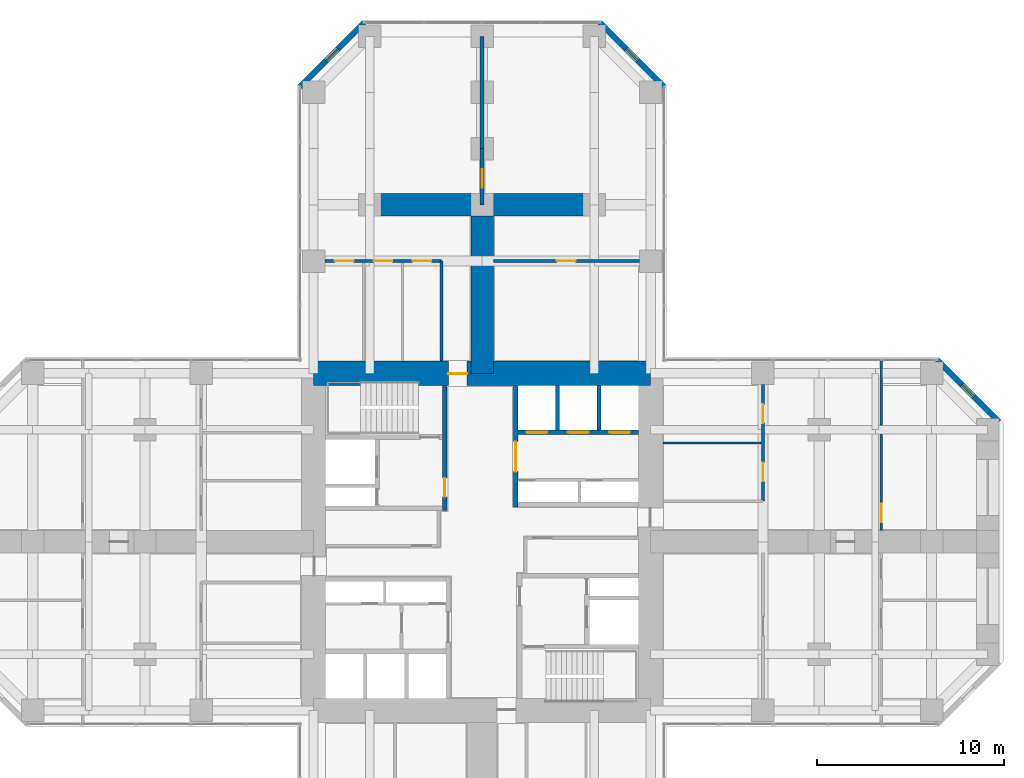
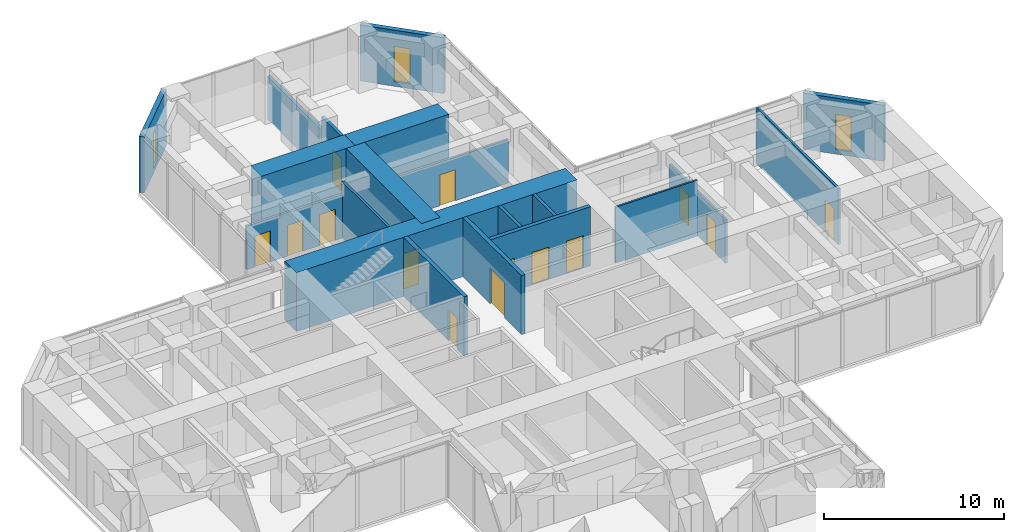
# One storey, part 11 of 13: 20 walls, 14 doors, 3 windows, 17 openings.
"""IFC4 building model written with IfcOpenShell, lengths in metres."""

import ifcopenshell
import ifcopenshell.guid

model = None  # the IFC model being written
_history = None  # IfcOwnerHistory: only IFC2X3 demands one
_inside = {}  # id of a spatial element -> (the spatial element, [elements in it])
_under = {}  # id of a project, library or spatial element -> (it, [spatial elements below it])
_declared = {}  # id of a project -> (the project, [libraries it declares])
_typed = {}  # id of a type object -> (the type object, [elements of that type])
_made_of = {}  # id of a material, layer set ... -> (it, [elements and type objects made of it])


def new_model(schema):
    """Start an empty IFC model of exactly this schema.

    Asked for "IFC4X3", IfcOpenShell would pick the latest addendum, in which some entities
    have other attributes; the version numbers below select the first issue.
    IFC2X3 requires an IfcOwnerHistory on every rooted entity: one is made here for all.
    """
    global model, _history
    if schema == "IFC4X3":
        model = ifcopenshell.file(schema_version=(4, 3, 0, 0))
    else:
        model = ifcopenshell.file(schema=schema)
    _inside.clear()
    _under.clear()
    _declared.clear()
    _typed.clear()
    _made_of.clear()
    _history = None
    if model.schema == "IFC2X3":
        org = make("IfcOrganization", Name="unknown")
        user = make(
            "IfcPersonAndOrganization",
            ThePerson=make("IfcPerson", FamilyName="unknown"),
            TheOrganization=org,
        )
        app = make(
            "IfcApplication",
            ApplicationDeveloper=org,
            Version="unknown",
            ApplicationFullName="unknown",
            ApplicationIdentifier="unknown",
        )
        _history = make(
            "IfcOwnerHistory",
            OwningUser=user,
            OwningApplication=app,
            ChangeAction="ADDED",
            CreationDate=0,
        )
    return model


def make(cls, **values):
    """One entity of the class cls with the attributes given. An attribute that is None is left unset."""
    return model.create_entity(
        cls, **{name: value for name, value in values.items() if value is not None}
    )


def rooted(cls, **values):
    """An entity with a GlobalId (a new one), such as an element, a storey or a relation."""
    return make(cls, GlobalId=ifcopenshell.guid.new(), OwnerHistory=_history, **values)


def si_unit(unit_type, name, prefix=None):
    """IfcSIUnit, for example si_unit("LENGTHUNIT", "METRE", prefix="MILLI")."""
    return make("IfcSIUnit", UnitType=unit_type, Prefix=prefix, Name=name)


def assignment(units):
    """IfcUnitAssignment: the units of a project."""
    return None if units is None else make("IfcUnitAssignment", Units=units)


def point(xyz):
    """IfcCartesianPoint."""
    return None if xyz is None else make("IfcCartesianPoint", Coordinates=xyz)


def direction(xyz):
    """IfcDirection."""
    return None if xyz is None else make("IfcDirection", DirectionRatios=xyz)


def frame(location, z_axis=None, x_axis=None):
    """IfcAxis2Placement3D, a coordinate frame: its origin and axes. An axis left out is left unset."""
    return make(
        "IfcAxis2Placement3D",
        Location=point(location),
        Axis=direction(z_axis),
        RefDirection=direction(x_axis),
    )


def frame_2d(location, x_axis=None):
    """IfcAxis2Placement2D, a coordinate frame in the plane: its origin and x axis."""
    return make(
        "IfcAxis2Placement2D", Location=point(location), RefDirection=direction(x_axis)
    )


def origin():
    """The frame at (0, 0, 0) with its axes left unset."""
    return frame((0.0, 0.0, 0.0))


def place(relative_to, where):
    """IfcLocalPlacement: puts the frame where relative to a parent placement (None: the world)."""
    return make(
        "IfcLocalPlacement", PlacementRelTo=relative_to, RelativePlacement=where
    )


def context(
    kind, dimensions, precision=None, world=None, true_north=None, identifier=None
):
    """IfcGeometricRepresentationContext, for example the 3D "Model" context."""
    return make(
        "IfcGeometricRepresentationContext",
        ContextIdentifier=identifier,
        ContextType=kind,
        CoordinateSpaceDimension=dimensions,
        Precision=precision,
        WorldCoordinateSystem=world,
        TrueNorth=true_north,
    )


def subcontext(parent, identifier, kind, view, scale=None):
    """IfcGeometricRepresentationSubContext, for example "Body" below "Model"."""
    return make(
        "IfcGeometricRepresentationSubContext",
        ContextIdentifier=identifier,
        ContextType=kind,
        ParentContext=parent,
        TargetScale=scale,
        TargetView=view,
    )


def project(units=None, contexts=None):
    """IfcProject with its units and contexts."""
    return rooted(
        "IfcProject",
        Name="project",
        RepresentationContexts=contexts,
        UnitsInContext=assignment(units),
    )


def spatial(cls, under=None, at=None, **own):
    """A site, building, storey or space (cls), placed at a placement, below another one or the project."""
    s = rooted(cls, ObjectPlacement=at, **own)
    if under is not None:
        _under.setdefault(under.id(), (under, []))[1].append(s)
    return s


def profile(cls, at=None, kind="AREA", **sizes):
    """A parametric profile (cls). Its sizes go by their IFC names, for example OverallWidth=200.0."""
    return make(cls, ProfileType=kind, Position=at, **sizes)


def rectangle(**sizes):
    """IfcRectangleProfileDef."""
    return profile("IfcRectangleProfileDef", **sizes)


def hollow_rectangle(**sizes):
    """IfcRectangleHollowProfileDef."""
    return profile("IfcRectangleHollowProfileDef", **sizes)


def extrude(swept, where, along, depth):
    """IfcExtrudedAreaSolid: the profile swept, set in the frame where, extruded along a direction by depth."""
    return make(
        "IfcExtrudedAreaSolid",
        SweptArea=swept,
        Position=where,
        ExtrudedDirection=direction(along),
        Depth=depth,
    )


def shape(context_of_items, identifier, shape_type, items):
    """IfcShapeRepresentation: the items that make up one representation, for example the "Body"."""
    return make(
        "IfcShapeRepresentation",
        ContextOfItems=context_of_items,
        RepresentationIdentifier=identifier,
        RepresentationType=shape_type,
        Items=items,
    )


def material(Name=None, Category=None):
    """IfcMaterial."""
    return make("IfcMaterial", Name=Name, Category=Category)


def layer(
    of_material, thickness, ventilated=None, Name=None, Category=None, Priority=None
):
    """IfcMaterialLayer: one layer of a wall or slab, of a material (None: an air gap)."""
    return make(
        "IfcMaterialLayer",
        Material=of_material,
        LayerThickness=thickness,
        IsVentilated=ventilated,
        Name=Name,
        Category=Category,
        Priority=Priority,
    )


def layer_set(layers, Name=None):
    """IfcMaterialLayerSet."""
    return make("IfcMaterialLayerSet", MaterialLayers=layers, LayerSetName=Name)


def constituent(of_material, Name=None, Category=None, fraction=None):
    """IfcMaterialConstituent: one of the materials an element consists of."""
    return make(
        "IfcMaterialConstituent",
        Name=Name,
        Material=of_material,
        Fraction=fraction,
        Category=Category,
    )


def constituent_set(constituents=None, Name=None):
    """IfcMaterialConstituentSet."""
    return make(
        "IfcMaterialConstituentSet", Name=Name, MaterialConstituents=constituents
    )


def made_of(thing, what):
    """Note that an element or type object is made of a material, layer set ...; save() writes the relation."""
    if what is not None:
        _made_of.setdefault(what.id(), (what, []))[1].append(thing)
    return thing


def type_object(cls, material=None, **own):
    """A type object (cls), such as IfcWallType, which elements share."""
    return made_of(rooted(cls, **own), material)


def element(
    cls,
    number,
    at=None,
    inside=None,
    cuts=None,
    type_object=None,
    material=None,
    context=None,
    identifier="Body",
    shape_type=None,
    held_by="IfcProductDefinitionShape",
    body=None,
    shapes=None,
    **own,
):
    """One element of the class cls, such as IfcWall. Its Tag is "e" and its number.

    at: its placement. inside: the storey or other place that contains it. cuts: it is an
    opening in that element (IfcRelVoidsElement). A single representation is given by context,
    identifier, shape_type and body (its items); several are given by shapes. held_by: the class
    of the entity that holds the representations. save() writes the other relations.
    """
    e = rooted(cls, Tag="e%d" % number, ObjectPlacement=at, **own)
    if body is not None:
        shapes = [shape(context, identifier, shape_type, body)]
    if shapes is not None:
        e.Representation = make(held_by, Representations=shapes)
    if inside is not None:
        _inside.setdefault(inside.id(), (inside, []))[1].append(e)
    if cuts is not None:
        rooted(
            "IfcRelVoidsElement", RelatingBuildingElement=cuts, RelatedOpeningElement=e
        )
    if type_object is not None:
        _typed.setdefault(type_object.id(), (type_object, []))[1].append(e)
    return made_of(e, material)


def fill(opening, filler):
    """IfcRelFillsElement: the door or window that sits in an opening."""
    return rooted(
        "IfcRelFillsElement",
        RelatingOpeningElement=opening,
        RelatedBuildingElement=filler,
    )


def aggregate(whole, parts):
    """IfcRelAggregates: a whole, such as a stair, and the parts it consists of."""
    return rooted("IfcRelAggregates", RelatingObject=whole, RelatedObjects=parts)


def save(model, path):
    """Write the relations noted so far, then the file.

    IfcRelAggregates (storeys below a building ...), IfcRelContainedInSpatialStructure (elements
    in a storey), IfcRelDefinesByType, IfcRelAssociatesMaterial and IfcRelDeclares: one each for
    every whole, place, type object, material and project.
    """
    for whole, parts in _under.values():
        aggregate(whole, parts)
    for where, things in _inside.values():
        rooted(
            "IfcRelContainedInSpatialStructure",
            RelatedElements=things,
            RelatingStructure=where,
        )
    for kind, things in _typed.values():
        rooted("IfcRelDefinesByType", RelatedObjects=things, RelatingType=kind)
    for what, things in _made_of.values():
        rooted("IfcRelAssociatesMaterial", RelatedObjects=things, RelatingMaterial=what)
    for by, libraries in _declared.values():
        rooted("IfcRelDeclares", RelatingContext=by, RelatedDefinitions=libraries)
    model.write(path)


model = new_model("IFC4")

# Units and contexts
model_context = context("Model", 3, precision=1e-05, world=origin(), true_north=direction((0.0, 1.0)))
body_context = subcontext(model_context, "Body", "Model", "MODEL_VIEW")
ifc_project = project(units=[si_unit("LENGTHUNIT", "METRE"), si_unit("AREAUNIT", "SQUARE_METRE"), si_unit("VOLUMEUNIT", "CUBIC_METRE"), si_unit("PLANEANGLEUNIT", "RADIAN"), si_unit("MASSUNIT", "GRAM", prefix="KILO")], contexts=[model_context])

# Site, building, storey
site_placement = place(None, origin())
site = spatial("IfcSite", under=ifc_project, at=site_placement, CompositionType="ELEMENT")
building_placement = place(site_placement, origin())
building = spatial("IfcBuilding", under=site, at=building_placement, Name="Torre Cruceta", CompositionType="ELEMENT")
storey_placement = place(building_placement, frame((0.0, 0.0, 55.5)))
storey = spatial("IfcBuildingStorey", under=building, at=storey_placement, Name="L13", CompositionType="ELEMENT", Elevation=55.5)

# Wall, opening, door
ifc_material_1 = material(Name="Concrete G60 (fck 60 MPa)", Category="concrete")
ifc_layer_1 = layer(ifc_material_1, 0.25)
ifc_layer_set_1 = layer_set([ifc_layer_1], Name="Concrete G60 (fck 60 MPa)")
wall_type_1 = type_object("IfcWallType", Name="CORE INNER WALL 250 G60", PredefinedType="SHEAR", material=ifc_layer_set_1)
wall_1_placement = place(storey_placement, frame((1.800048828125, 1.875, 0.0), z_axis=(0.0, 0.0, 1.0), x_axis=(0.0, 1.0, 0.0)))
wall_1 = element("IfcWall", 1, at=wall_1_placement, inside=storey, type_object=wall_type_1, Name="CW4 L13 NE-CU", PredefinedType="SHEAR", context=body_context, shape_type="SweptSolid", body=[
    extrude(rectangle(XDim=6.47509765625, YDim=0.25, at=frame_2d((3.237548828125, 0.0))), origin(), (0.0, 0.0, 1.0), 4.0),
])
opening_1_placement = place(wall_1_placement, frame((1.875, 0.0, 0.0)))
opening_1 = element("IfcOpeningElement", 2, at=opening_1_placement, cuts=wall_1, Name="Opening D8", PredefinedType="OPENING", context=body_context, shape_type="SweptSolid", body=[
    extrude(rectangle(XDim=1.60009765625, YDim=2.39990234375, at=frame_2d((0.800048828125, 1.199951171875))), frame((0.0, 0.135009765625, 0.0), z_axis=(0.0, -1.0, 0.0), x_axis=(1.0, 0.0, 0.0)), (0.0, 0.0, 1.0), 0.27001953125),
])
ifc_material_2 = material(Name="Steel DX51D", Category="steel")
ifc_constituent_1 = constituent(ifc_material_2, Name="Leaf and frame")
ifc_material_3 = material(Name="Polyester powder coating", Category="paint")
ifc_constituent_2 = constituent(ifc_material_3, Name="Finish")
ifc_material_4 = material(Name="Fire-resisting glass", Category="glass")
ifc_constituent_3 = constituent(ifc_material_4, Name="Vision panel")
ifc_constituent_set_1 = constituent_set(constituents=[ifc_constituent_1, ifc_constituent_2, ifc_constituent_3], Name="Steel fire door with vision panels")
door_type_1 = type_object("IfcDoorType", Name="LIFT LOBBY DOUBLE DOOR 1600X2400", OperationType="DOUBLE_DOOR_DOUBLE_SWING", PredefinedType="DOOR", material=ifc_constituent_set_1)
door_1_placement = place(opening_1_placement, origin())
door_1 = element("IfcDoor", 3, at=door_1_placement, inside=storey, type_object=door_type_1, Name="D8 L13 NE-LOBBY", OperationType="DOUBLE_DOOR_DOUBLE_SWING", OverallHeight=2.39990234375, OverallWidth=1.60009765625, PredefinedType="DOOR", context=body_context, shape_type="SweptSolid", body=[
    extrude(rectangle(XDim=1.60009765625, YDim=2.39990234375, at=frame_2d((0.800048828125, 1.199951171875))), frame((0.0, 0.02490234375, 0.0), z_axis=(0.0, -1.0, 0.0), x_axis=(1.0, 0.0, 0.0)), (0.0, 0.0, 1.0), 0.050048828125),
])
fill(opening_1, door_1)

# Wall, openings, doors
wall_2_placement = place(storey_placement, frame((1.925048828125, 5.85009765625, 0.0), z_axis=(0.0, 0.0, 1.0), x_axis=(1.0, 0.0, 0.0)))
wall_2 = element("IfcWall", 4, at=wall_2_placement, inside=storey, type_object=wall_type_1, Name="CW4 L13 NE-LV", PredefinedType="SHEAR", context=body_context, shape_type="SweptSolid", body=[
    extrude(rectangle(XDim=6.425048828125, YDim=0.25, at=frame_2d((3.21240234375, 0.0))), origin(), (0.0, 0.0, 1.0), 4.0),
])
opening_2_placement = place(wall_2_placement, frame((0.4541015625, 0.0, 0.0)))
opening_2 = element("IfcOpeningElement", 5, at=opening_2_placement, cuts=wall_2, Name="Opening LD1", PredefinedType="OPENING", context=body_context, shape_type="SweptSolid", body=[
    extrude(rectangle(XDim=1.10009765625, YDim=2.199951171875, at=frame_2d((0.550048828125, 1.10009765625))), frame((0.0, 0.135009765625, 0.0), z_axis=(0.0, -1.0, 0.0), x_axis=(1.0, 0.0, 0.0)), (0.0, 0.0, 1.0), 0.27001953125),
])
opening_3_placement = place(wall_2_placement, frame((2.66259765625, 0.0, 0.0)))
opening_3 = element("IfcOpeningElement", 6, at=opening_3_placement, cuts=wall_2, Name="Opening LD1", PredefinedType="OPENING", context=body_context, shape_type="SweptSolid", body=[
    extrude(rectangle(XDim=1.10009765625, YDim=2.199951171875, at=frame_2d((0.550048828125, 1.10009765625))), frame((0.0, 0.135009765625, 0.0), z_axis=(0.0, -1.0, 0.0), x_axis=(1.0, 0.0, 0.0)), (0.0, 0.0, 1.0), 0.27001953125),
])
opening_4_placement = place(wall_2_placement, frame((4.870849609375, 0.0, 0.0)))
opening_4 = element("IfcOpeningElement", 7, at=opening_4_placement, cuts=wall_2, Name="Opening LD1", PredefinedType="OPENING", context=body_context, shape_type="SweptSolid", body=[
    extrude(rectangle(XDim=1.10009765625, YDim=2.199951171875, at=frame_2d((0.550048828125, 1.10009765625))), frame((0.0, 0.135009765625, 0.0), z_axis=(0.0, -1.0, 0.0), x_axis=(1.0, 0.0, 0.0)), (0.0, 0.0, 1.0), 0.27001953125),
])
ifc_material_5 = material(Name="Stainless steel 1.4401", Category="steel")
door_type_2 = type_object("IfcDoorType", Name="LIFT LANDING DOOR 1100X2200", OperationType="DOUBLE_DOOR_SLIDING", PredefinedType="DOOR", material=ifc_material_5)
door_2_placement = place(opening_2_placement, origin())
door_2 = element("IfcDoor", 8, at=door_2_placement, inside=storey, type_object=door_type_2, Name="Lift landing door P1", OperationType="DOUBLE_DOOR_SLIDING", OverallHeight=2.199951171875, OverallWidth=1.10009765625, PredefinedType="DOOR", context=body_context, shape_type="SweptSolid", body=[
    extrude(rectangle(XDim=1.10009765625, YDim=2.199951171875, at=frame_2d((0.550048828125, 1.10009765625))), frame((0.0, 0.02490234375, 0.0), z_axis=(0.0, -1.0, 0.0), x_axis=(1.0, 0.0, 0.0)), (0.0, 0.0, 1.0), 0.050048828125),
])
fill(opening_2, door_2)
door_3_placement = place(opening_3_placement, origin())
door_3 = element("IfcDoor", 9, at=door_3_placement, inside=storey, type_object=door_type_2, Name="Lift landing door P2", OperationType="DOUBLE_DOOR_SLIDING", OverallHeight=2.199951171875, OverallWidth=1.10009765625, PredefinedType="DOOR", context=body_context, shape_type="SweptSolid", body=[
    extrude(rectangle(XDim=1.10009765625, YDim=2.199951171875, at=frame_2d((0.550048828125, 1.10009765625))), frame((0.0, 0.02490234375, 0.0), z_axis=(0.0, -1.0, 0.0), x_axis=(1.0, 0.0, 0.0)), (0.0, 0.0, 1.0), 0.050048828125),
])
fill(opening_3, door_3)
door_4_placement = place(opening_4_placement, origin())
door_4 = element("IfcDoor", 10, at=door_4_placement, inside=storey, type_object=door_type_2, Name="Lift landing door P3", OperationType="DOUBLE_DOOR_SLIDING", OverallHeight=2.199951171875, OverallWidth=1.10009765625, PredefinedType="DOOR", context=body_context, shape_type="SweptSolid", body=[
    extrude(rectangle(XDim=1.10009765625, YDim=2.199951171875, at=frame_2d((0.550048828125, 1.10009765625))), frame((0.0, 0.02490234375, 0.0), z_axis=(0.0, -1.0, 0.0), x_axis=(1.0, 0.0, 0.0)), (0.0, 0.0, 1.0), 0.050048828125),
])
fill(opening_4, door_4)

# Wall, opening, door
wall_3_placement = place(storey_placement, frame((-2.0, 1.675048828125, 0.0), z_axis=(0.0, 0.0, 1.0), x_axis=(0.0, 1.0, 0.0)))
wall_3 = element("IfcWall", 11, at=wall_3_placement, inside=storey, type_object=wall_type_1, Name="CW4 L13 NW-CU", PredefinedType="SHEAR", context=body_context, shape_type="SweptSolid", body=[
    extrude(rectangle(XDim=6.675048828125, YDim=0.25, at=frame_2d((3.33740234375, 0.0))), origin(), (0.0, 0.0, 1.0), 4.0),
])
opening_5_placement = place(wall_3_placement, frame((0.72509765625, 0.0, 0.0)))
opening_5 = element("IfcOpeningElement", 12, at=opening_5_placement, cuts=wall_3, Name="Opening D3", PredefinedType="OPENING", context=body_context, shape_type="SweptSolid", body=[
    extrude(rectangle(XDim=1.0, YDim=2.10009765625, at=frame_2d((0.5, 1.050048828125))), frame((0.0, 0.135009765625, 0.0), z_axis=(0.0, -1.0, 0.0), x_axis=(1.0, 0.0, 0.0)), (0.0, 0.0, 1.0), 0.27001953125),
])
ifc_material_6 = material(Name="Steel DX51D", Category="steel")
ifc_constituent_4 = constituent(ifc_material_6, Name="Leaf and frame")
ifc_material_7 = material(Name="Polyester powder coating", Category="paint")
ifc_constituent_5 = constituent(ifc_material_7, Name="Finish")
ifc_constituent_set_2 = constituent_set(constituents=[ifc_constituent_4, ifc_constituent_5], Name="Steel fire door")
door_type_3 = type_object("IfcDoorType", Name="FIRE DOOR 1000X2100", OperationType="SINGLE_SWING_LEFT", PredefinedType="DOOR", material=ifc_constituent_set_2)
door_5_placement = place(opening_5_placement, origin())
door_5 = element("IfcDoor", 13, at=door_5_placement, inside=storey, type_object=door_type_3, Name="D3 L13 NW-LOBBY", OperationType="SINGLE_SWING_LEFT", OverallHeight=2.10009765625, OverallWidth=1.0, PredefinedType="DOOR", context=body_context, shape_type="SweptSolid", body=[
    extrude(rectangle(XDim=1.0, YDim=2.10009765625, at=frame_2d((0.5, 1.050048828125))), frame((0.0, 0.02490234375, 0.0), z_axis=(0.0, -1.0, 0.0), x_axis=(1.0, 0.0, 0.0)), (0.0, 0.0, 1.0), 0.050048828125),
])
fill(opening_5, door_5)

ifc_material_8 = material(Name="Concrete G60 (fck 60 MPa)", Category="concrete")
ifc_layer_2 = layer(ifc_material_8, 1.300048828125)
ifc_layer_set_2 = layer_set([ifc_layer_2], Name="Concrete G60 (fck 60 MPa)")
wall_type_2 = type_object("IfcWallType", Name="CORE WALL 1300 G60", PredefinedType="SHEAR", material=ifc_layer_set_2)
wall_4_placement = place(storey_placement, frame((9.0, 9.0, 0.0), z_axis=(0.0, 0.0, 1.0), x_axis=(-1.0, 0.0, 0.0)))
wall_4 = element("IfcWall", 14, at=wall_4_placement, inside=storey, type_object=wall_type_2, Name="CW1 L13 CW-N", PredefinedType="SHEAR", context=body_context, shape_type="SweptSolid", body=[
    extrude(rectangle(XDim=18.0, YDim=1.300048828125, at=frame_2d((9.0, 0.0))), origin(), (0.0, 0.0, 1.0), 4.0),
])
opening_6_placement = place(wall_4_placement, frame((9.800048828125, 0.0, 0.0)))
opening_6 = element("IfcOpeningElement", 15, at=opening_6_placement, cuts=wall_4, Name="Opening D4", PredefinedType="OPENING", context=body_context, shape_type="SweptSolid", body=[
    extrude(rectangle(XDim=1.0, YDim=2.39990234375, at=frame_2d((0.5, 1.199951171875))), frame((0.0, 0.659912109375, 0.0), z_axis=(0.0, -1.0, 0.0), x_axis=(1.0, 0.0, 0.0)), (0.0, 0.0, 1.0), 1.320068359375),
])
ifc_material_9 = material(Name="Steel DX51D", Category="steel")
ifc_constituent_6 = constituent(ifc_material_9, Name="Leaf and frame")
ifc_material_10 = material(Name="Polyester powder coating", Category="paint")
ifc_constituent_7 = constituent(ifc_material_10, Name="Finish")
ifc_constituent_set_3 = constituent_set(constituents=[ifc_constituent_6, ifc_constituent_7], Name="Steel fire door")
door_type_4 = type_object("IfcDoorType", Name="CORE ARM DOOR 1000X2400", OperationType="SINGLE_SWING_RIGHT", PredefinedType="DOOR", material=ifc_constituent_set_3)
door_6_placement = place(opening_6_placement, frame((1.0, 0.0, 0.0), z_axis=(0.0, 0.0, 1.0), x_axis=(-1.0, 0.0, 0.0)))
door_6 = element("IfcDoor", 16, at=door_6_placement, inside=storey, type_object=door_type_4, Name="D4 L13 CW-N", OperationType="SINGLE_SWING_RIGHT", OverallHeight=2.39990234375, OverallWidth=1.0, PredefinedType="DOOR", context=body_context, shape_type="SweptSolid", body=[
    extrude(rectangle(XDim=1.0, YDim=2.39990234375, at=frame_2d((0.5, 1.199951171875))), frame((0.0, -0.005126953125, 0.0), z_axis=(0.0, -1.0, 0.0), x_axis=(1.0, 0.0, 0.0)), (0.0, 0.0, 1.0), 0.050048828125),
])
fill(opening_6, door_6)

ifc_material_11 = material(Name="Concrete G25 (fck 25 MPa)", Category="concrete")
ifc_layer_3 = layer(ifc_material_11, 0.199951171875)
ifc_layer_set_3 = layer_set([ifc_layer_3], Name="Concrete G25 (fck 25 MPa)")
wall_type_3 = type_object("IfcWallType", Name="CORRIDOR WALL 200", PredefinedType="SOLIDWALL", material=ifc_layer_set_3)
wall_5_placement = place(storey_placement, frame((0.0, 18.0, 0.0), z_axis=(0.0, 0.0, 1.0), x_axis=(0.0, 1.0, 0.0)))
wall_5 = element("IfcWall", 17, at=wall_5_placement, inside=storey, type_object=wall_type_3, Name="PT3 spine line L13 N", PredefinedType="SOLIDWALL", context=body_context, shape_type="SweptSolid", body=[
    extrude(rectangle(XDim=3.0, YDim=0.199951171875, at=frame_2d((1.5, 0.0))), origin(), (0.0, 0.0, 1.0), 3.800048828125),
])
opening_7_placement = place(wall_5_placement, frame((0.89990234375, 0.0, 0.0)))
opening_7 = element("IfcOpeningElement", 18, at=opening_7_placement, cuts=wall_5, Name="Opening D14", PredefinedType="OPENING", context=body_context, shape_type="SweptSolid", body=[
    extrude(rectangle(XDim=1.0, YDim=2.199951171875, at=frame_2d((0.5, 1.10009765625))), frame((0.0, 0.10986328125, 0.0), z_axis=(0.0, -1.0, 0.0), x_axis=(1.0, 0.0, 0.0)), (0.0, 0.0, 1.0), 0.219970703125),
])
ifc_material_12 = material(Name="Steel DX51D", Category="steel")
ifc_constituent_8 = constituent(ifc_material_12, Name="Leaf and frame")
ifc_material_13 = material(Name="Polyester powder coating", Category="paint")
ifc_constituent_9 = constituent(ifc_material_13, Name="Finish")
ifc_material_14 = material(Name="Fire-resisting glass", Category="glass")
ifc_constituent_10 = constituent(ifc_material_14, Name="Vision panel")
ifc_constituent_set_4 = constituent_set(constituents=[ifc_constituent_8, ifc_constituent_9, ifc_constituent_10], Name="Steel fire door with vision panel")
door_type_5 = type_object("IfcDoorType", Name="FIRE DOOR VISION PANEL 1000X2200", OperationType="SINGLE_SWING_RIGHT", PredefinedType="DOOR", material=ifc_constituent_set_4)
door_7_placement = place(opening_7_placement, frame((1.0, 0.0, 0.0), z_axis=(0.0, 0.0, 1.0), x_axis=(-1.0, 0.0, 0.0)))
door_7 = element("IfcDoor", 19, at=door_7_placement, inside=storey, type_object=door_type_5, Name="D14 L13-N-SP1", OperationType="SINGLE_SWING_RIGHT", OverallHeight=2.199951171875, OverallWidth=1.0, PredefinedType="DOOR", context=body_context, shape_type="SweptSolid", body=[
    extrude(rectangle(XDim=1.0, YDim=2.199951171875, at=frame_2d((0.5, 1.10009765625))), frame((0.0, 0.025146484375, 0.0), z_axis=(0.0, -1.0, 0.0), x_axis=(1.0, 0.0, 0.0)), (0.0, 0.0, 1.0), 0.050048828125),
])
fill(opening_7, door_7)

# Walls
wall_6_placement = place(storey_placement, frame((0.0, 21.0, 0.0), z_axis=(0.0, 0.0, 1.0), x_axis=(0.0, 1.0, 0.0)))
element("IfcWall", 20, at=wall_6_placement, inside=storey, type_object=wall_type_3, Name="PT3 spine line L13 N 2", PredefinedType="SOLIDWALL", context=body_context, shape_type="SweptSolid", body=[
    extrude(rectangle(XDim=6.0, YDim=0.199951171875, at=frame_2d((3.0, 0.0))), origin(), (0.0, 0.0, 1.0), 2.89990234375),
])
ifc_material_15 = material(Name="Concrete G60 (fck 60 MPa)", Category="concrete")
ifc_layer_4 = layer(ifc_material_15, 1.199951171875)
ifc_layer_set_4 = layer_set([ifc_layer_4], Name="Concrete G60 (fck 60 MPa)")
wall_type_4 = type_object("IfcWallType", Name="CROSS WALL 1200 G60", PredefinedType="SHEAR", material=ifc_layer_set_4)
for number, where, z_axis, x_axis, name in (
    (21, (0.0, 18.0, 0.0), (0.0, 0.0, 1.0), (-1.0, 0.0, 0.0), "XW1 cross wall L13 N L"),
    (22, (0.0, 18.0, 0.0), (0.0, 0.0, 1.0), (1.0, 0.0, 0.0), "XW1 cross wall L13 N R"),
):
    element("IfcWall", number, at=place(storey_placement, frame(where, z_axis=z_axis, x_axis=x_axis)), inside=storey, type_object=wall_type_4, Name=name, PredefinedType="SHEAR", context=body_context, shape_type="SweptSolid", body=[
        extrude(rectangle(XDim=6.0, YDim=1.199951171875, at=frame_2d((3.0, 0.0))), origin(), (0.0, 0.0, 1.0), 4.0),
    ])

# Wall, opening, window
ifc_material_16 = material(Name="Concrete G30 (fck 30 MPa)", Category="concrete")
ifc_layer_5 = layer(ifc_material_16, 0.300048828125)
ifc_layer_set_5 = layer_set([ifc_layer_5], Name="Concrete G30 (fck 30 MPa)")
wall_type_5 = type_object("IfcWallType", Name="EXPOSED CONCRETE FACADE WALL 300", PredefinedType="SOLIDWALL", material=ifc_layer_set_5)
wall_7_placement = place(storey_placement, frame((27.60009765625, 6.418212890625, 0.0), z_axis=(0.0, 0.0, 1.0), x_axis=(-0.707106781187, 0.707106781187, 0.0)))
wall_7 = element("IfcWall", 23, at=wall_7_placement, inside=storey, type_object=wall_type_5, Name="EW1 facade wall L13 E chamfer 03", PredefinedType="SOLIDWALL", context=body_context, shape_type="SweptSolid", body=[
    extrude(rectangle(XDim=4.66943359375, YDim=0.300048828125, at=frame_2d((2.334716796875, 0.0))), origin(), (0.0, 0.0, 1.0), 3.800048828125),
])
opening_8_placement = place(wall_7_placement, frame((1.884765625, 0.0, 0.300048828125)))
opening_8 = element("IfcOpeningElement", 24, at=opening_8_placement, cuts=wall_7, Name="Opening WN5", PredefinedType="OPENING", context=body_context, shape_type="SweptSolid", body=[
    extrude(rectangle(XDim=0.89990234375, YDim=2.39990234375, at=frame_2d((0.449951171875, 1.199951171875))), frame((0.0, 0.159912109375, 0.0), z_axis=(0.0, -1.0, 0.0), x_axis=(1.0, 0.0, 0.0)), (0.0, 0.0, 1.0), 0.320068359375),
])
ifc_material_17 = material(Name="Aluminium window frame", Category="aluminium")
ifc_constituent_11 = constituent(ifc_material_17, Name="Frame")
ifc_material_18 = material(Name="Laminated insulating glass unit, low-iron clear", Category="glass")
ifc_constituent_12 = constituent(ifc_material_18, Name="Glazing")
ifc_constituent_set_5 = constituent_set(constituents=[ifc_constituent_11, ifc_constituent_12], Name="Aluminium window")
window_type = type_object("IfcWindowType", Name="CHAMFER SLOT WINDOW 900X2400", PartitioningType="SINGLE_PANEL", PredefinedType="WINDOW", material=ifc_constituent_set_5)
window_1_placement = place(opening_8_placement, origin())
window_1 = element("IfcWindow", 25, at=window_1_placement, inside=storey, type_object=window_type, Name="WN5 L13 E 1", OverallHeight=2.39990234375, OverallWidth=0.89990234375, PartitioningType="SINGLE_PANEL", PredefinedType="WINDOW", context=body_context, shape_type="SweptSolid", body=[
    extrude(hollow_rectangle(XDim=0.89990234375, YDim=2.39990234375, WallThickness=0.06005859375, at=frame_2d((0.449951171875, 1.199951171875))), frame((0.0, 0.030029296875, 0.0), z_axis=(0.0, -1.0, 0.0), x_axis=(1.0, 0.0, 0.0)), (0.0, 0.0, 1.0), 0.06005859375),
    extrude(rectangle(XDim=0.77880859375, YDim=2.27880859375, at=frame_2d((0.449951171875, 1.199951171875))), frame((0.0, 0.030029296875, 0.0), z_axis=(0.0, -1.0, 0.0), x_axis=(1.0, 0.0, 0.0)), (0.0, 0.0, 1.0), 0.06005859375),
])
fill(opening_8, window_1)

wall_8_placement = place(storey_placement, frame((9.719970703125, 24.29833984375, 0.0), z_axis=(0.0, 0.0, 1.0), x_axis=(-0.707106781187, 0.707106781187, 0.0)))
wall_8 = element("IfcWall", 26, at=wall_8_placement, inside=storey, type_object=wall_type_5, Name="EW1 facade wall L13 N chamfer 06", PredefinedType="SOLIDWALL", context=body_context, shape_type="SweptSolid", body=[
    extrude(rectangle(XDim=4.8388671875, YDim=0.300048828125, at=frame_2d((2.41943359375, 0.0))), origin(), (0.0, 0.0, 1.0), 3.800048828125),
])
opening_9_placement = place(wall_8_placement, frame((1.969482421875, 0.0, 0.300048828125)))
opening_9 = element("IfcOpeningElement", 27, at=opening_9_placement, cuts=wall_8, Name="Opening WN5", PredefinedType="OPENING", context=body_context, shape_type="SweptSolid", body=[
    extrude(rectangle(XDim=0.89990234375, YDim=2.39990234375, at=frame_2d((0.449951171875, 1.199951171875))), frame((0.0, 0.159912109375, 0.0), z_axis=(0.0, -1.0, 0.0), x_axis=(1.0, 0.0, 0.0)), (0.0, 0.0, 1.0), 0.320068359375),
])
window_2_placement = place(opening_9_placement, origin())
window_2 = element("IfcWindow", 28, at=window_2_placement, inside=storey, type_object=window_type, Name="WN5 L13 N 1", OverallHeight=2.39990234375, OverallWidth=0.89990234375, PartitioningType="SINGLE_PANEL", PredefinedType="WINDOW", context=body_context, shape_type="SweptSolid", body=[
    extrude(hollow_rectangle(XDim=0.89990234375, YDim=2.39990234375, WallThickness=0.06005859375, at=frame_2d((0.449951171875, 1.199951171875))), frame((0.0, 0.030029296875, 0.0), z_axis=(0.0, -1.0, 0.0), x_axis=(1.0, 0.0, 0.0)), (0.0, 0.0, 1.0), 0.06005859375),
    extrude(rectangle(XDim=0.77880859375, YDim=2.27880859375, at=frame_2d((0.449951171875, 1.199951171875))), frame((0.0, 0.030029296875, 0.0), z_axis=(0.0, -1.0, 0.0), x_axis=(1.0, 0.0, 0.0)), (0.0, 0.0, 1.0), 0.06005859375),
])
fill(opening_9, window_2)

wall_9_placement = place(storey_placement, frame((-6.29833984375, 27.719970703125, 0.0), z_axis=(0.0, 0.0, 1.0), x_axis=(-0.707106781187, -0.707106781187, 0.0)))
wall_9 = element("IfcWall", 29, at=wall_9_placement, inside=storey, type_object=wall_type_5, Name="EW1 facade wall L13 N chamfer 08", PredefinedType="SOLIDWALL", context=body_context, shape_type="SweptSolid", body=[
    extrude(rectangle(XDim=4.8388671875, YDim=0.300048828125, at=frame_2d((2.41943359375, 0.0))), origin(), (0.0, 0.0, 1.0), 3.800048828125),
])
opening_10_placement = place(wall_9_placement, frame((1.969482421875, 0.0, 0.300048828125)))
opening_10 = element("IfcOpeningElement", 30, at=opening_10_placement, cuts=wall_9, Name="Opening WN5", PredefinedType="OPENING", context=body_context, shape_type="SweptSolid", body=[
    extrude(rectangle(XDim=0.89990234375, YDim=2.39990234375, at=frame_2d((0.449951171875, 1.199951171875))), frame((0.0, 0.159912109375, 0.0), z_axis=(0.0, -1.0, 0.0), x_axis=(1.0, 0.0, 0.0)), (0.0, 0.0, 1.0), 0.320068359375),
])
window_3_placement = place(opening_10_placement, origin())
window_3 = element("IfcWindow", 31, at=window_3_placement, inside=storey, type_object=window_type, Name="WN5 L13 N 1", OverallHeight=2.39990234375, OverallWidth=0.89990234375, PartitioningType="SINGLE_PANEL", PredefinedType="WINDOW", context=body_context, shape_type="SweptSolid", body=[
    extrude(hollow_rectangle(XDim=0.89990234375, YDim=2.39990234375, WallThickness=0.06005859375, at=frame_2d((0.449951171875, 1.199951171875))), frame((0.0, 0.030029296875, 0.0), z_axis=(0.0, -1.0, 0.0), x_axis=(1.0, 0.0, 0.0)), (0.0, 0.0, 1.0), 0.06005859375),
    extrude(rectangle(XDim=0.77880859375, YDim=2.27880859375, at=frame_2d((0.449951171875, 1.199951171875))), frame((0.0, 0.030029296875, 0.0), z_axis=(0.0, -1.0, 0.0), x_axis=(1.0, 0.0, 0.0)), (0.0, 0.0, 1.0), 0.06005859375),
])
fill(opening_10, window_3)

# Walls
ifc_material_19 = material(Name="Concrete G35 (fck 35 MPa)", Category="concrete")
ifc_layer_6 = layer(ifc_material_19, 0.199951171875)
ifc_layer_set_6 = layer_set([ifc_layer_6], Name="Concrete G35 (fck 35 MPa)")
wall_type_6 = type_object("IfcWallType", Name="LIFT SHAFT WALL 200", PredefinedType="PARTITIONING", material=ifc_layer_set_6)
for number, where, z_axis, x_axis, name in (
    (32, (4.033447265625, 5.97509765625, 0.0), (0.0, 0.0, 1.0), (0.0, 1.0, 0.0), "SW1 L13 NE-LS1"),
    (33, (6.24169921875, 5.97509765625, 0.0), (0.0, 0.0, 1.0), (0.0, 1.0, 0.0), "SW1 L13 NE-LS2"),
):
    element("IfcWall", number, at=place(storey_placement, frame(where, z_axis=z_axis, x_axis=x_axis)), inside=storey, type_object=wall_type_6, Name=name, PredefinedType="PARTITIONING", context=body_context, shape_type="SweptSolid", body=[
        extrude(rectangle(XDim=2.375, YDim=0.199951171875, at=frame_2d((1.1875, 0.0))), origin(), (0.0, 0.0, 1.0), 4.0),
    ])

# Wall, openings, doors
ifc_material_20 = material(Name="Plasterboard on steel studs", Category="steel")
ifc_layer_7 = layer(ifc_material_20, 0.14990234375)
ifc_layer_set_7 = layer_set([ifc_layer_7], Name="Plasterboard on steel studs")
wall_type_7 = type_object("IfcWallType", Name="PARTITION 150", PredefinedType="PARTITIONING", material=ifc_layer_set_7)
wall_10_placement = place(storey_placement, frame((-2.175048828125, 15.0, 0.0), z_axis=(0.0, 0.0, 1.0), x_axis=(-1.0, 0.0, 0.0)))
wall_10 = element("IfcWall", 34, at=wall_10_placement, inside=storey, type_object=wall_type_7, Name="PT1 L13-N-BFL", PredefinedType="PARTITIONING", context=body_context, shape_type="SweptSolid", body=[
    extrude(rectangle(XDim=6.224853515625, YDim=0.14990234375, at=frame_2d((3.1123046875, 0.0))), origin(), (0.0, 0.0, 1.0), 2.949951171875),
])
opening_11_placement = place(wall_10_placement, frame((0.53759765625, 0.0, 0.0)))
opening_11 = element("IfcOpeningElement", 35, at=opening_11_placement, cuts=wall_10, Name="Opening D3", PredefinedType="OPENING", context=body_context, shape_type="SweptSolid", body=[
    extrude(rectangle(XDim=1.0, YDim=2.10009765625, at=frame_2d((0.5, 1.050048828125))), frame((0.0, 0.0849609375, 0.0), z_axis=(0.0, -1.0, 0.0), x_axis=(1.0, 0.0, 0.0)), (0.0, 0.0, 1.0), 0.169921875),
])
opening_12_placement = place(wall_10_placement, frame((2.612548828125, 0.0, 0.0)))
opening_12 = element("IfcOpeningElement", 36, at=opening_12_placement, cuts=wall_10, Name="Opening D3", PredefinedType="OPENING", context=body_context, shape_type="SweptSolid", body=[
    extrude(rectangle(XDim=1.0, YDim=2.10009765625, at=frame_2d((0.5, 1.050048828125))), frame((0.0, 0.0849609375, 0.0), z_axis=(0.0, -1.0, 0.0), x_axis=(1.0, 0.0, 0.0)), (0.0, 0.0, 1.0), 0.169921875),
])
opening_13_placement = place(wall_10_placement, frame((4.6875, 0.0, 0.0)))
opening_13 = element("IfcOpeningElement", 37, at=opening_13_placement, cuts=wall_10, Name="Opening D3", PredefinedType="OPENING", context=body_context, shape_type="SweptSolid", body=[
    extrude(rectangle(XDim=1.0, YDim=2.10009765625, at=frame_2d((0.5, 1.050048828125))), frame((0.0, 0.0849609375, 0.0), z_axis=(0.0, -1.0, 0.0), x_axis=(1.0, 0.0, 0.0)), (0.0, 0.0, 1.0), 0.169921875),
])
door_8_placement = place(opening_11_placement, origin())
door_8 = element("IfcDoor", 38, at=door_8_placement, inside=storey, type_object=door_type_3, Name="D3 L13-N-BFL-D1", OperationType="SINGLE_SWING_LEFT", OverallHeight=2.10009765625, OverallWidth=1.0, PredefinedType="DOOR", context=body_context, shape_type="SweptSolid", body=[
    extrude(rectangle(XDim=1.0, YDim=2.10009765625, at=frame_2d((0.5, 1.050048828125))), frame((0.0, 0.02490234375, 0.0), z_axis=(0.0, -1.0, 0.0), x_axis=(1.0, 0.0, 0.0)), (0.0, 0.0, 1.0), 0.050048828125),
])
fill(opening_11, door_8)
door_9_placement = place(opening_12_placement, origin())
door_9 = element("IfcDoor", 39, at=door_9_placement, inside=storey, type_object=door_type_3, Name="D3 L13-N-BFL-D2", OperationType="SINGLE_SWING_LEFT", OverallHeight=2.10009765625, OverallWidth=1.0, PredefinedType="DOOR", context=body_context, shape_type="SweptSolid", body=[
    extrude(rectangle(XDim=1.0, YDim=2.10009765625, at=frame_2d((0.5, 1.050048828125))), frame((0.0, 0.02490234375, 0.0), z_axis=(0.0, -1.0, 0.0), x_axis=(1.0, 0.0, 0.0)), (0.0, 0.0, 1.0), 0.050048828125),
])
fill(opening_12, door_9)
door_10_placement = place(opening_13_placement, origin())
door_10 = element("IfcDoor", 40, at=door_10_placement, inside=storey, type_object=door_type_3, Name="D3 L13-N-BFL-D3", OperationType="SINGLE_SWING_LEFT", OverallHeight=2.10009765625, OverallWidth=1.0, PredefinedType="DOOR", context=body_context, shape_type="SweptSolid", body=[
    extrude(rectangle(XDim=1.0, YDim=2.10009765625, at=frame_2d((0.5, 1.050048828125))), frame((0.0, 0.02490234375, 0.0), z_axis=(0.0, -1.0, 0.0), x_axis=(1.0, 0.0, 0.0)), (0.0, 0.0, 1.0), 0.050048828125),
])
fill(opening_13, door_10)

# Wall
wall_11_placement = place(storey_placement, frame((-2.175048828125, 9.64990234375, 0.0), z_axis=(0.0, 0.0, 1.0), x_axis=(0.0, 1.0, 0.0)))
element("IfcWall", 41, at=wall_11_placement, inside=storey, type_object=wall_type_7, Name="PT1 L13-N-BSL", PredefinedType="PARTITIONING", context=body_context, shape_type="SweptSolid", body=[
    extrude(rectangle(XDim=5.35009765625, YDim=0.14990234375, at=frame_2d((2.675048828125, 0.0))), origin(), (0.0, 0.0, 1.0), 3.800048828125),
])

# Wall, opening, door
wall_12_placement = place(storey_placement, frame((8.39990234375, 15.0, 0.0), z_axis=(0.0, 0.0, 1.0), x_axis=(-1.0, 0.0, 0.0)))
wall_12 = element("IfcWall", 42, at=wall_12_placement, inside=storey, type_object=wall_type_7, Name="PT1 L13-N-BFR", PredefinedType="PARTITIONING", context=body_context, shape_type="SweptSolid", body=[
    extrude(rectangle(XDim=7.7998046875, YDim=0.14990234375, at=frame_2d((3.89990234375, 0.0))), origin(), (0.0, 0.0, 1.0), 2.949951171875),
])
opening_14_placement = place(wall_12_placement, frame((3.39990234375, 0.0, 0.0)))
opening_14 = element("IfcOpeningElement", 43, at=opening_14_placement, cuts=wall_12, Name="Opening D3", PredefinedType="OPENING", context=body_context, shape_type="SweptSolid", body=[
    extrude(rectangle(XDim=1.0, YDim=2.10009765625, at=frame_2d((0.5, 1.050048828125))), frame((0.0, 0.0849609375, 0.0), z_axis=(0.0, -1.0, 0.0), x_axis=(1.0, 0.0, 0.0)), (0.0, 0.0, 1.0), 0.169921875),
])
door_11_placement = place(opening_14_placement, origin())
door_11 = element("IfcDoor", 44, at=door_11_placement, inside=storey, type_object=door_type_3, Name="D3 L13-N-BFR-D1", OperationType="SINGLE_SWING_RIGHT", OverallHeight=2.10009765625, OverallWidth=1.0, PredefinedType="DOOR", context=body_context, shape_type="SweptSolid", body=[
    extrude(rectangle(XDim=1.0, YDim=2.10009765625, at=frame_2d((0.5, 1.050048828125))), frame((0.0, 0.02490234375, 0.0), z_axis=(0.0, -1.0, 0.0), x_axis=(1.0, 0.0, 0.0)), (0.0, 0.0, 1.0), 0.050048828125),
])
fill(opening_14, door_11)

# Wall, openings, doors
wall_13_placement = place(storey_placement, frame((15.0, 2.175048828125, 0.0), z_axis=(0.0, 0.0, 1.0), x_axis=(0.0, 1.0, 0.0)))
wall_13 = element("IfcWall", 45, at=wall_13_placement, inside=storey, type_object=wall_type_7, Name="PT1 L13-E-BFL", PredefinedType="PARTITIONING", context=body_context, shape_type="SweptSolid", body=[
    extrude(rectangle(XDim=6.224853515625, YDim=0.14990234375, at=frame_2d((3.1123046875, 0.0))), origin(), (0.0, 0.0, 1.0), 2.949951171875),
])
opening_15_placement = place(wall_13_placement, frame((1.05615234375, 0.0, 0.0)))
opening_15 = element("IfcOpeningElement", 46, at=opening_15_placement, cuts=wall_13, Name="Opening D3", PredefinedType="OPENING", context=body_context, shape_type="SweptSolid", body=[
    extrude(rectangle(XDim=1.0, YDim=2.10009765625, at=frame_2d((0.5, 1.050048828125))), frame((0.0, 0.0849609375, 0.0), z_axis=(0.0, -1.0, 0.0), x_axis=(1.0, 0.0, 0.0)), (0.0, 0.0, 1.0), 0.169921875),
])
opening_16_placement = place(wall_13_placement, frame((4.168701171875, 0.0, 0.0)))
opening_16 = element("IfcOpeningElement", 47, at=opening_16_placement, cuts=wall_13, Name="Opening D3", PredefinedType="OPENING", context=body_context, shape_type="SweptSolid", body=[
    extrude(rectangle(XDim=1.0, YDim=2.10009765625, at=frame_2d((0.5, 1.050048828125))), frame((0.0, 0.0849609375, 0.0), z_axis=(0.0, -1.0, 0.0), x_axis=(1.0, 0.0, 0.0)), (0.0, 0.0, 1.0), 0.169921875),
])
door_12_placement = place(opening_15_placement, origin())
door_12 = element("IfcDoor", 48, at=door_12_placement, inside=storey, type_object=door_type_3, Name="D3 L13-E-BFL-D1", OperationType="SINGLE_SWING_LEFT", OverallHeight=2.10009765625, OverallWidth=1.0, PredefinedType="DOOR", context=body_context, shape_type="SweptSolid", body=[
    extrude(rectangle(XDim=1.0, YDim=2.10009765625, at=frame_2d((0.5, 1.050048828125))), frame((0.0, 0.02490234375, 0.0), z_axis=(0.0, -1.0, 0.0), x_axis=(1.0, 0.0, 0.0)), (0.0, 0.0, 1.0), 0.050048828125),
])
fill(opening_15, door_12)
door_13_placement = place(opening_16_placement, origin())
door_13 = element("IfcDoor", 49, at=door_13_placement, inside=storey, type_object=door_type_3, Name="D3 L13-E-BFL-D2", OperationType="SINGLE_SWING_LEFT", OverallHeight=2.10009765625, OverallWidth=1.0, PredefinedType="DOOR", context=body_context, shape_type="SweptSolid", body=[
    extrude(rectangle(XDim=1.0, YDim=2.10009765625, at=frame_2d((0.5, 1.050048828125))), frame((0.0, 0.02490234375, 0.0), z_axis=(0.0, -1.0, 0.0), x_axis=(1.0, 0.0, 0.0)), (0.0, 0.0, 1.0), 0.050048828125),
])
fill(opening_16, door_13)

# Wall, opening, door
wall_14_placement = place(storey_placement, frame((21.320068359375, 0.60009765625, 0.0), z_axis=(0.0, 0.0, 1.0), x_axis=(0.0, 1.0, 0.0)))
wall_14 = element("IfcWall", 50, at=wall_14_placement, inside=storey, type_object=wall_type_7, Name="PT1 L13-E-TWL", PredefinedType="PARTITIONING", context=body_context, shape_type="SweptSolid", body=[
    extrude(rectangle(XDim=9.079833984375, YDim=0.14990234375, at=frame_2d((4.5400390625, 0.0))), origin(), (0.0, 0.0, 1.0), 3.800048828125),
])
opening_17_placement = place(wall_14_placement, frame((0.449951171875, 0.0, 0.0)))
opening_17 = element("IfcOpeningElement", 51, at=opening_17_placement, cuts=wall_14, Name="Opening D14", PredefinedType="OPENING", context=body_context, shape_type="SweptSolid", body=[
    extrude(rectangle(XDim=1.0, YDim=2.199951171875, at=frame_2d((0.5, 1.10009765625))), frame((0.0, 0.0849609375, 0.0), z_axis=(0.0, -1.0, 0.0), x_axis=(1.0, 0.0, 0.0)), (0.0, 0.0, 1.0), 0.169921875),
])
door_14_placement = place(opening_17_placement, frame((1.0, 0.0, 0.0), z_axis=(0.0, 0.0, 1.0), x_axis=(-1.0, 0.0, 0.0)))
door_14 = element("IfcDoor", 52, at=door_14_placement, inside=storey, type_object=door_type_5, Name="D14 L13-E-TWL-D1", OperationType="SINGLE_SWING_RIGHT", OverallHeight=2.199951171875, OverallWidth=1.0, PredefinedType="DOOR", context=body_context, shape_type="SweptSolid", body=[
    extrude(rectangle(XDim=1.0, YDim=2.199951171875, at=frame_2d((0.5, 1.10009765625))), frame((0.0, 0.025146484375, 0.0), z_axis=(0.0, -1.0, 0.0), x_axis=(1.0, 0.0, 0.0)), (0.0, 0.0, 1.0), 0.050048828125),
])
fill(opening_17, door_14)

# Walls
ifc_material_21 = material(Name="Concrete G60 (fck 60 MPa)", Category="concrete")
ifc_layer_8 = layer(ifc_material_21, 1.199951171875)
ifc_layer_set_8 = layer_set([ifc_layer_8], Name="Concrete G60 (fck 60 MPa)")
wall_type_8 = type_object("IfcWallType", Name="SPINE WALL 1200 G60", PredefinedType="SHEAR", material=ifc_layer_set_8)
wall_15_placement = place(storey_placement, frame((0.0, 9.0, 0.0), z_axis=(0.0, 0.0, 1.0), x_axis=(0.0, 1.0, 0.0)))
element("IfcWall", 53, at=wall_15_placement, inside=storey, type_object=wall_type_8, Name="SW3 spine wall L13 N", PredefinedType="SHEAR", context=body_context, shape_type="SweptSolid", body=[
    extrude(rectangle(XDim=9.0, YDim=1.199951171875, at=frame_2d((4.5, 0.0))), origin(), (0.0, 0.0, 1.0), 4.0),
])
ifc_material_22 = material(Name="Plasterboard on steel studs", Category="steel")
ifc_layer_9 = layer(ifc_material_22, 0.1201171875)
ifc_layer_set_9 = layer_set([ifc_layer_9], Name="Plasterboard on steel studs")
wall_type_9 = type_object("IfcWallType", Name="WC PARTITION 120", PredefinedType="PLUMBINGWALL", material=ifc_layer_set_9)
wall_16_placement = place(storey_placement, frame((9.64990234375, 5.28759765625, 0.0), z_axis=(0.0, 0.0, 1.0), x_axis=(1.0, 0.0, 0.0)))
element("IfcWall", 54, at=wall_16_placement, inside=storey, type_object=wall_type_9, Name="PT5 L13-E-BDL1", PredefinedType="PLUMBINGWALL", context=body_context, shape_type="SweptSolid", body=[
    extrude(rectangle(XDim=5.25, YDim=0.1201171875, at=frame_2d((2.625, 0.0))), origin(), (0.0, 0.0, 1.0), 3.800048828125),
])

save(model, "model.ifc")
